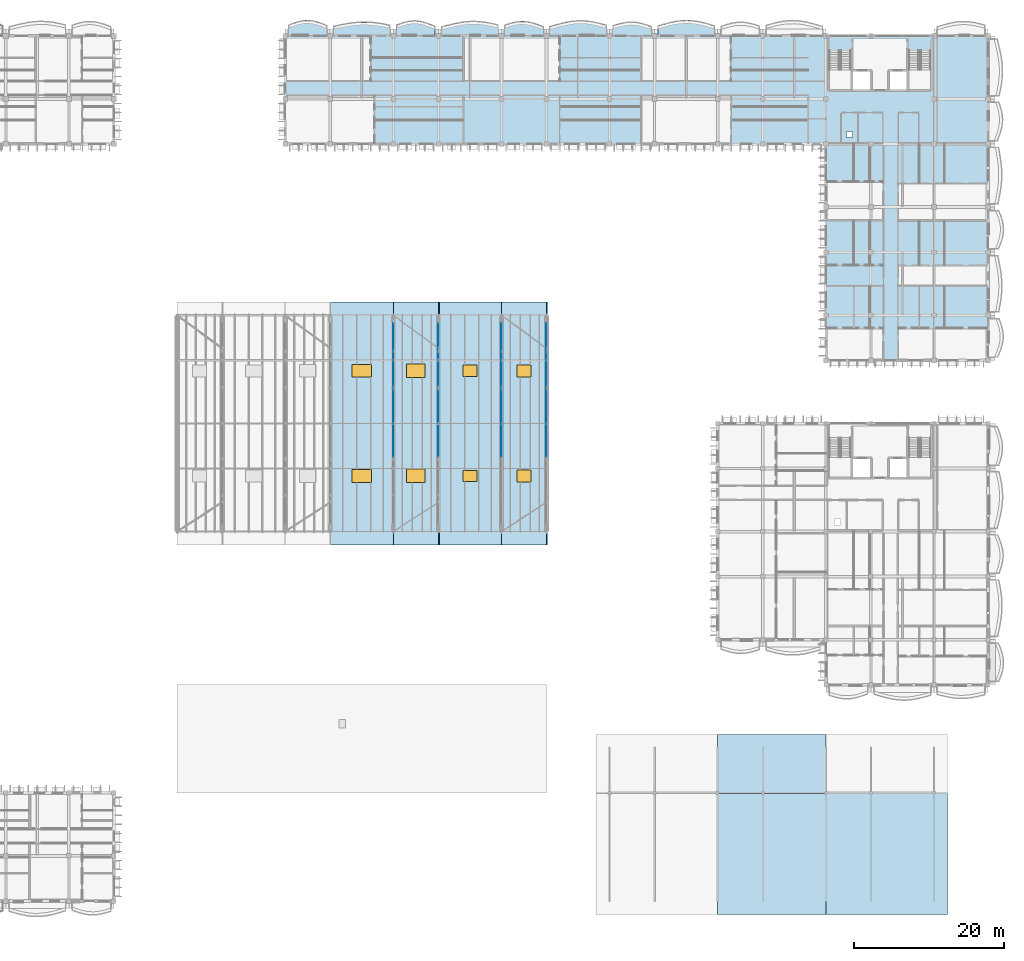
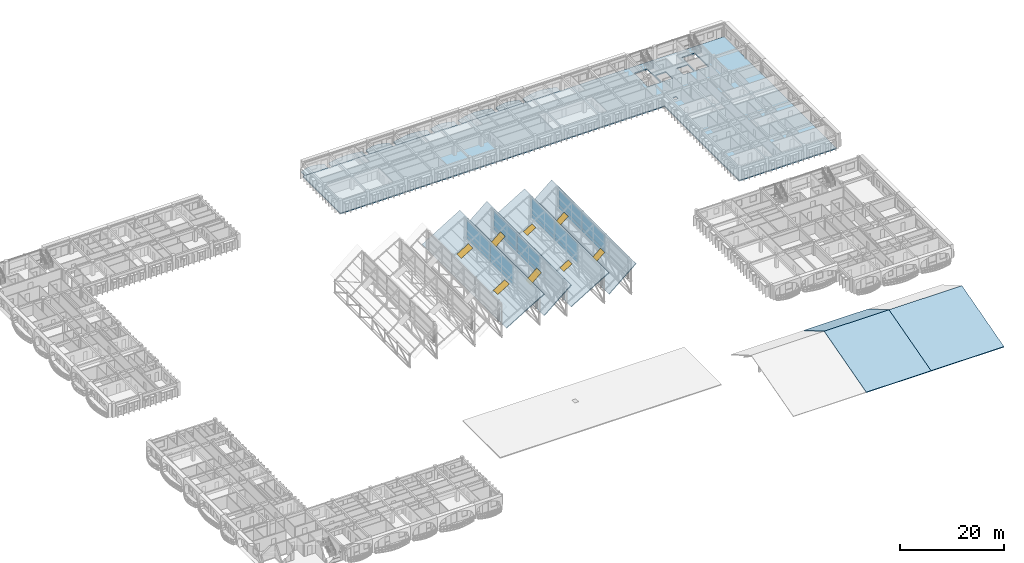
# One storey, part 34 of 101: 16 plates, 16 slabs, 8 windows, 8 openings, 4 elements without a shape of their own.
"""IFC4 building model written with IfcOpenShell, lengths in metres."""

from ifc_helpers import new_model, si_unit, direction, frame, origin, origin_2d, place, context, subcontext, project, spatial, polyline, rectangle, outline, extrude, material, layer, layer_set, type_object, element, fill, aggregate, save


model = new_model("IFC4")

# Units and contexts
model_context = context("Model", 3, precision=1e-05, world=origin(), true_north=direction((0.0, 1.0)))
body_context = subcontext(model_context, "Body", "Model", "MODEL_VIEW")
ifc_project = project(units=[si_unit("LENGTHUNIT", "METRE"), si_unit("AREAUNIT", "SQUARE_METRE"), si_unit("VOLUMEUNIT", "CUBIC_METRE"), si_unit("PLANEANGLEUNIT", "RADIAN"), si_unit("MASSUNIT", "GRAM", prefix="KILO"), si_unit("THERMODYNAMICTEMPERATUREUNIT", "KELVIN")], contexts=[model_context])

# Site, building, storey
site_placement = place(None, origin())
site = spatial("IfcSite", under=ifc_project, at=site_placement, CompositionType="ELEMENT")
building_placement = place(site_placement, origin())
building = spatial("IfcBuilding", under=site, at=building_placement, Name="Thalorik Housing Commons", CompositionType="ELEMENT")
storey_placement = place(building_placement, frame((0.0, 0.0, 8.10009765625)))
storey = spatial("IfcBuildingStorey", under=building, at=storey_placement, Name="L02", CompositionType="ELEMENT", Elevation=8.10009765625)

# Curtain wall, plates
ifc_material_1 = material(Name="Anodised aluminium and solar-control low-E glass", Category="aluminium")
curtain_wall_type = type_object("IfcCurtainWallType", Name="ARC-CW-CLER", PredefinedType="USERDEFINED", material=ifc_material_1)
curtain_wall_1_placement = place(storey_placement, origin())
curtain_wall_1 = element("IfcCurtainWall", 1, at=curtain_wall_1_placement, inside=storey, type_object=curtain_wall_type, Name="L02 Curtain Wall CW-SAW-CLER-04", ObjectType="CURTAIN WALL", PredefinedType="USERDEFINED")
ifc_material_2 = material(Name="Cobalt blue enamelled aluminium spandrel panel", Category="aluminium")
ifc_layer_1 = layer(ifc_material_2, 0.0458984375, Name="Cobalt blue enamelled aluminium spandrel panel", Category="aluminium")
ifc_layer_set_1 = layer_set([ifc_layer_1], Name="Cobalt blue enamelled aluminium spandrel panel")
plate_type_1 = type_object("IfcPlateType", Name="ARC-CP-BLU-46", PredefinedType="CURTAIN_PANEL", material=ifc_layer_set_1)
plate_1_placement = place(storey_placement, frame((94.800048828125, 72.0, 3.3798828125), z_axis=(0.0, 0.0, 1.0), x_axis=(0.0, 1.0, 0.0)))
plate_1 = element("IfcPlate", 2, at=plate_1_placement, type_object=plate_type_1, Name="CW-SAW-CLER-04 Spandrel Panel 2", PredefinedType="CURTAIN_PANEL", context=body_context, shape_type="SweptSolid", body=[
    extrude(rectangle(XDim=8.873291015625, YDim=0.0458984375, at=origin_2d()), origin(), (0.0, 0.0, 1.0), 0.760009765625),
])
plate_2_placement = place(storey_placement, frame((94.800048828125, 80.933349609375, 3.3798828125), z_axis=(0.0, 0.0, 1.0), x_axis=(0.0, 1.0, 0.0)))
plate_2 = element("IfcPlate", 3, at=plate_2_placement, type_object=plate_type_1, Name="CW-SAW-CLER-04 Spandrel Panel 3", PredefinedType="CURTAIN_PANEL", context=body_context, shape_type="SweptSolid", body=[
    extrude(rectangle(XDim=8.873291015625, YDim=0.0458984375, at=origin_2d()), origin(), (0.0, 0.0, 1.0), 0.760009765625),
])

curtain_wall_2_placement = place(storey_placement, origin())
curtain_wall_2 = element("IfcCurtainWall", 4, at=curtain_wall_2_placement, inside=storey, type_object=curtain_wall_type, Name="L02 Curtain Wall CW-SAW-CLER-07", ObjectType="CURTAIN WALL", PredefinedType="USERDEFINED")
plate_3_placement = place(storey_placement, frame((115.199951171875, 72.0, 3.3798828125), z_axis=(0.0, 0.0, 1.0), x_axis=(0.0, 1.0, 0.0)))
plate_3 = element("IfcPlate", 5, at=plate_3_placement, type_object=plate_type_1, Name="CW-SAW-CLER-07 Spandrel Panel 2", PredefinedType="CURTAIN_PANEL", context=body_context, shape_type="SweptSolid", body=[
    extrude(rectangle(XDim=8.873291015625, YDim=0.0458984375, at=origin_2d()), origin(), (0.0, 0.0, 1.0), 0.760009765625),
])
plate_4_placement = place(storey_placement, frame((115.199951171875, 80.933349609375, 3.3798828125), z_axis=(0.0, 0.0, 1.0), x_axis=(0.0, 1.0, 0.0)))
plate_4 = element("IfcPlate", 6, at=plate_4_placement, type_object=plate_type_1, Name="CW-SAW-CLER-07 Spandrel Panel 3", PredefinedType="CURTAIN_PANEL", context=body_context, shape_type="SweptSolid", body=[
    extrude(rectangle(XDim=8.873291015625, YDim=0.0458984375, at=origin_2d()), origin(), (0.0, 0.0, 1.0), 0.760009765625),
])

# Plate
ifc_material_3 = material(Name="Double solar-control low-E glass", Category="glass")
ifc_layer_2 = layer(ifc_material_3, 0.028076171875, Name="Double solar-control low-E glass", Category="glass")
ifc_layer_set_2 = layer_set([ifc_layer_2], Name="Double solar-control low-E glass")
plate_type_2 = type_object("IfcPlateType", Name="ARC-CP-GLZ-28", PredefinedType="CURTAIN_PANEL", material=ifc_layer_set_2)
plate_5_placement = place(storey_placement, frame((94.800048828125, 72.0, 4.219970703125), z_axis=(0.0, 0.0, 1.0), x_axis=(0.0, 1.0, 0.0)))
plate_5 = element("IfcPlate", 7, at=plate_5_placement, type_object=plate_type_2, Name="CW-SAW-CLER-04 Vision Panel 2", PredefinedType="CURTAIN_PANEL", context=body_context, shape_type="SweptSolid", body=[
    extrude(rectangle(XDim=8.873291015625, YDim=0.028076171875, at=origin_2d()), origin(), (0.0, 0.0, 1.0), 3.64990234375),
])

plate_6_placement = place(storey_placement, frame((94.800048828125, 80.933349609375, 4.219970703125), z_axis=(0.0, 0.0, 1.0), x_axis=(0.0, 1.0, 0.0)))
plate_6 = element("IfcPlate", 8, at=plate_6_placement, type_object=plate_type_2, Name="CW-SAW-CLER-04 Vision Panel 3", PredefinedType="CURTAIN_PANEL", context=body_context, shape_type="SweptSolid", body=[
    extrude(rectangle(XDim=8.873291015625, YDim=0.028076171875, at=origin_2d()), origin(), (0.0, 0.0, 1.0), 3.64990234375),
])

aggregate(curtain_wall_1, [plate_1, plate_5, plate_2, plate_6])

# Curtain wall, plates
curtain_wall_3_placement = place(storey_placement, origin())
curtain_wall_3 = element("IfcCurtainWall", 9, at=curtain_wall_3_placement, inside=storey, type_object=curtain_wall_type, Name="L02 Curtain Wall CW-SAW-CLER-05", ObjectType="CURTAIN WALL", PredefinedType="USERDEFINED")
plate_7_placement = place(storey_placement, frame((100.800048828125, 72.0, 4.219970703125), z_axis=(0.0, 0.0, 1.0), x_axis=(0.0, 1.0, 0.0)))
plate_7 = element("IfcPlate", 10, at=plate_7_placement, type_object=plate_type_2, Name="CW-SAW-CLER-05 Vision Panel 2", PredefinedType="CURTAIN_PANEL", context=body_context, shape_type="SweptSolid", body=[
    extrude(rectangle(XDim=8.873291015625, YDim=0.028076171875, at=origin_2d()), origin(), (0.0, 0.0, 1.0), 3.64990234375),
])
plate_8_placement = place(storey_placement, frame((100.800048828125, 80.933349609375, 4.219970703125), z_axis=(0.0, 0.0, 1.0), x_axis=(0.0, 1.0, 0.0)))
plate_8 = element("IfcPlate", 11, at=plate_8_placement, type_object=plate_type_2, Name="CW-SAW-CLER-05 Vision Panel 3", PredefinedType="CURTAIN_PANEL", context=body_context, shape_type="SweptSolid", body=[
    extrude(rectangle(XDim=8.873291015625, YDim=0.028076171875, at=origin_2d()), origin(), (0.0, 0.0, 1.0), 3.64990234375),
])

curtain_wall_4_placement = place(storey_placement, origin())
curtain_wall_4 = element("IfcCurtainWall", 12, at=curtain_wall_4_placement, inside=storey, type_object=curtain_wall_type, Name="L02 Curtain Wall CW-SAW-CLER-06", ObjectType="CURTAIN WALL", PredefinedType="USERDEFINED")
plate_9_placement = place(storey_placement, frame((109.199951171875, 72.0, 4.219970703125), z_axis=(0.0, 0.0, 1.0), x_axis=(0.0, 1.0, 0.0)))
plate_9 = element("IfcPlate", 13, at=plate_9_placement, type_object=plate_type_2, Name="CW-SAW-CLER-06 Vision Panel 2", PredefinedType="CURTAIN_PANEL", context=body_context, shape_type="SweptSolid", body=[
    extrude(rectangle(XDim=8.873291015625, YDim=0.028076171875, at=origin_2d()), origin(), (0.0, 0.0, 1.0), 3.64990234375),
])
plate_10_placement = place(storey_placement, frame((109.199951171875, 80.933349609375, 4.219970703125), z_axis=(0.0, 0.0, 1.0), x_axis=(0.0, 1.0, 0.0)))
plate_10 = element("IfcPlate", 14, at=plate_10_placement, type_object=plate_type_2, Name="CW-SAW-CLER-06 Vision Panel 3", PredefinedType="CURTAIN_PANEL", context=body_context, shape_type="SweptSolid", body=[
    extrude(rectangle(XDim=8.873291015625, YDim=0.028076171875, at=origin_2d()), origin(), (0.0, 0.0, 1.0), 3.64990234375),
])

# Plate
plate_11_placement = place(storey_placement, frame((115.199951171875, 72.0, 4.219970703125), z_axis=(0.0, 0.0, 1.0), x_axis=(0.0, 1.0, 0.0)))
plate_11 = element("IfcPlate", 15, at=plate_11_placement, type_object=plate_type_2, Name="CW-SAW-CLER-07 Vision Panel 2", PredefinedType="CURTAIN_PANEL", context=body_context, shape_type="SweptSolid", body=[
    extrude(rectangle(XDim=8.873291015625, YDim=0.028076171875, at=origin_2d()), origin(), (0.0, 0.0, 1.0), 3.64990234375),
])

plate_12_placement = place(storey_placement, frame((115.199951171875, 80.933349609375, 4.219970703125), z_axis=(0.0, 0.0, 1.0), x_axis=(0.0, 1.0, 0.0)))
plate_12 = element("IfcPlate", 16, at=plate_12_placement, type_object=plate_type_2, Name="CW-SAW-CLER-07 Vision Panel 3", PredefinedType="CURTAIN_PANEL", context=body_context, shape_type="SweptSolid", body=[
    extrude(rectangle(XDim=8.873291015625, YDim=0.028076171875, at=origin_2d()), origin(), (0.0, 0.0, 1.0), 3.64990234375),
])

aggregate(curtain_wall_2, [plate_3, plate_11, plate_4, plate_12])

ifc_material_4 = material(Name="Oxide red enamelled aluminium spandrel panel", Category="aluminium")
ifc_layer_3 = layer(ifc_material_4, 0.0419921875, Name="Oxide red enamelled aluminium spandrel panel", Category="aluminium")
ifc_layer_set_3 = layer_set([ifc_layer_3], Name="Oxide red enamelled aluminium spandrel panel")
plate_type_3 = type_object("IfcPlateType", Name="ARC-CP-RED-42", PredefinedType="CURTAIN_PANEL", material=ifc_layer_set_3)
plate_13_placement = place(storey_placement, frame((109.199951171875, 72.0, 3.3798828125), z_axis=(0.0, 0.0, 1.0), x_axis=(0.0, 1.0, 0.0)))
plate_13 = element("IfcPlate", 17, at=plate_13_placement, type_object=plate_type_3, Name="CW-SAW-CLER-06 Spandrel Panel 2", PredefinedType="CURTAIN_PANEL", context=body_context, shape_type="SweptSolid", body=[
    extrude(rectangle(XDim=8.873291015625, YDim=0.0419921875, at=origin_2d()), origin(), (0.0, 0.0, 1.0), 0.760009765625),
])

plate_14_placement = place(storey_placement, frame((109.199951171875, 80.933349609375, 3.3798828125), z_axis=(0.0, 0.0, 1.0), x_axis=(0.0, 1.0, 0.0)))
plate_14 = element("IfcPlate", 18, at=plate_14_placement, type_object=plate_type_3, Name="CW-SAW-CLER-06 Spandrel Panel 3", PredefinedType="CURTAIN_PANEL", context=body_context, shape_type="SweptSolid", body=[
    extrude(rectangle(XDim=8.873291015625, YDim=0.0419921875, at=origin_2d()), origin(), (0.0, 0.0, 1.0), 0.760009765625),
])

aggregate(curtain_wall_4, [plate_13, plate_9, plate_14, plate_10])

ifc_material_5 = material(Name="Mineral ochre yellow aluminium spandrel panel", Category="aluminium")
ifc_layer_4 = layer(ifc_material_5, 0.050048828125, Name="Mineral ochre yellow aluminium spandrel panel", Category="aluminium")
ifc_layer_set_4 = layer_set([ifc_layer_4], Name="Mineral ochre yellow aluminium spandrel panel")
plate_type_4 = type_object("IfcPlateType", Name="ARC-CP-YEL-50", PredefinedType="CURTAIN_PANEL", material=ifc_layer_set_4)
plate_15_placement = place(storey_placement, frame((100.800048828125, 72.0, 3.3798828125), z_axis=(0.0, 0.0, 1.0), x_axis=(0.0, 1.0, 0.0)))
plate_15 = element("IfcPlate", 19, at=plate_15_placement, type_object=plate_type_4, Name="CW-SAW-CLER-05 Spandrel Panel 2", PredefinedType="CURTAIN_PANEL", context=body_context, shape_type="SweptSolid", body=[
    extrude(rectangle(XDim=8.873291015625, YDim=0.050048828125, at=origin_2d()), origin(), (0.0, 0.0, 1.0), 0.760009765625),
])

plate_16_placement = place(storey_placement, frame((100.800048828125, 80.933349609375, 3.3798828125), z_axis=(0.0, 0.0, 1.0), x_axis=(0.0, 1.0, 0.0)))
plate_16 = element("IfcPlate", 20, at=plate_16_placement, type_object=plate_type_4, Name="CW-SAW-CLER-05 Spandrel Panel 3", PredefinedType="CURTAIN_PANEL", context=body_context, shape_type="SweptSolid", body=[
    extrude(rectangle(XDim=8.873291015625, YDim=0.050048828125, at=origin_2d()), origin(), (0.0, 0.0, 1.0), 0.760009765625),
])

aggregate(curtain_wall_3, [plate_15, plate_7, plate_16, plate_8])

# Slabs
ifc_material_6 = material(Name="Precast concrete C40/50", Category="concrete")
ifc_layer_5 = layer(ifc_material_6, 0.199951171875, Name="Precast concrete C40/50", Category="concrete")
ifc_layer_set_5 = layer_set([ifc_layer_5], Name="Precast concrete C40/50")
slab_type_1 = type_object("IfcSlabType", Name="STR-SLB-BALC-200", PredefinedType="FLOOR", material=ifc_layer_set_5)
slab_1_placement = place(storey_placement, frame((0.0, 0.0, -0.2001953125)))
element("IfcSlab", 21, at=slab_1_placement, inside=storey, type_object=slab_type_1, Name="L02 Block B Cushion Balcony 101", PredefinedType="FLOOR", context=body_context, shape_type="SweptSolid", body=[
    extrude(outline(polyline([(80.820068359375, 123.60009765625), (85.97998046875, 123.60009765625), (85.97998046875, 124.99072265625), (85.550048828125, 125.17041015625), (85.1201171875, 125.338134765625), (84.68994140625, 125.482421875), (84.260009765625, 125.5947265625), (83.830078125, 125.667236328125), (83.39990234375, 125.69580078125), (82.969970703125, 125.6787109375), (82.5400390625, 125.6171875), (82.110107421875, 125.515380859375), (81.679931640625, 125.380126953125), (81.25, 125.22021484375), (80.820068359375, 125.04638671875), (80.820068359375, 123.60009765625)])), origin(), (0.0, 0.0, 1.0), 0.2001953125),
])
slab_2_placement = place(storey_placement, frame((0.0, 0.0, -0.2001953125)))
element("IfcSlab", 22, at=slab_2_placement, inside=storey, type_object=slab_type_1, Name="L02 Block B Cushion Balcony 103", PredefinedType="FLOOR", context=body_context, shape_type="SweptSolid", body=[
    extrude(outline(polyline([(95.219970703125, 123.60009765625), (100.3798828125, 123.60009765625), (100.3798828125, 124.901611328125), (99.949951171875, 125.07958984375), (99.52001953125, 125.248291015625), (99.090087890625, 125.397216796875), (98.659912109375, 125.5166015625), (98.22998046875, 125.599365234375), (97.800048828125, 125.640380859375), (97.3701171875, 125.6376953125), (96.93994140625, 125.592041015625), (96.510009765625, 125.507080078125), (96.080078125, 125.388916015625), (95.64990234375, 125.24560546875), (95.219970703125, 125.087646484375), (95.219970703125, 123.60009765625)])), origin(), (0.0, 0.0, 1.0), 0.2001953125),
])
slab_3_placement = place(storey_placement, frame((0.0, 0.0, -0.2001953125)))
element("IfcSlab", 23, at=slab_3_placement, inside=storey, type_object=slab_type_1, Name="L02 Block B Cushion Balcony 105", PredefinedType="FLOOR", context=body_context, shape_type="SweptSolid", body=[
    extrude(outline(polyline([(109.6201171875, 123.60009765625), (114.780029296875, 123.60009765625), (114.780029296875, 124.85205078125), (114.35009765625, 125.0166015625), (113.919921875, 125.174072265625), (113.489990234375, 125.314453125), (113.06005859375, 125.42822265625), (112.6298828125, 125.50830078125), (112.199951171875, 125.55029296875), (111.77001953125, 125.55126953125), (111.340087890625, 125.512451171875), (110.909912109375, 125.43701171875), (110.47998046875, 125.330810546875), (110.050048828125, 125.201904296875), (109.6201171875, 125.0595703125), (109.6201171875, 123.60009765625)])), origin(), (0.0, 0.0, 1.0), 0.2001953125),
])
slab_4_placement = place(storey_placement, frame((0.0, 0.0, -0.2001953125)))
element("IfcSlab", 24, at=slab_4_placement, inside=storey, type_object=slab_type_1, Name="L02 Block B Cushion Balcony 107", PredefinedType="FLOOR", context=body_context, shape_type="SweptSolid", body=[
    extrude(outline(polyline([(124.02001953125, 123.60009765625), (129.179931640625, 123.60009765625), (129.179931640625, 124.870849609375), (128.75, 125.0185546875), (128.320068359375, 125.158935546875), (127.889892578125, 125.28271484375), (127.4599609375, 125.38134765625), (127.030029296875, 125.44775390625), (126.60009765625, 125.477783203125), (126.169921875, 125.469970703125), (125.739990234375, 125.4248046875), (125.31005859375, 125.34619140625), (124.8798828125, 125.240234375), (124.449951171875, 125.114501953125), (124.02001953125, 124.978271484375), (124.02001953125, 123.60009765625)])), origin(), (0.0, 0.0, 1.0), 0.2001953125),
])
ifc_layer_6 = layer(ifc_material_6, 0.219970703125, Name="Precast concrete C40/50", Category="concrete")
ifc_layer_set_6 = layer_set([ifc_layer_6], Name="Precast concrete C40/50")
slab_type_2 = type_object("IfcSlabType", Name="STR-SLB-BALC-220", PredefinedType="FLOOR", material=ifc_layer_set_6)
slab_5_placement = place(storey_placement, frame((0.0, 0.0, -0.22021484375)))
element("IfcSlab", 25, at=slab_5_placement, inside=storey, type_object=slab_type_2, Name="L02 Block B Cushion Balcony 102", PredefinedType="FLOOR", context=body_context, shape_type="SweptSolid", body=[
    extrude(outline(polyline([(86.820068359375, 123.60009765625), (94.3798828125, 123.60009765625), (94.3798828125, 125.048583984375), (93.75, 125.179931640625), (93.1201171875, 125.296630859375), (92.489990234375, 125.390869140625), (91.860107421875, 125.456298828125), (91.22998046875, 125.489013671875), (90.60009765625, 125.486572265625), (89.969970703125, 125.44970703125), (89.340087890625, 125.380615234375), (88.7099609375, 125.284423828125), (88.080078125, 125.16748046875), (87.449951171875, 125.037841796875), (86.820068359375, 124.904296875), (86.820068359375, 123.60009765625)])), origin(), (0.0, 0.0, 1.0), 0.22021484375),
])
slab_6_placement = place(storey_placement, frame((0.0, 0.0, -0.22021484375)))
element("IfcSlab", 26, at=slab_6_placement, inside=storey, type_object=slab_type_2, Name="L02 Block B Cushion Balcony 104", PredefinedType="FLOOR", context=body_context, shape_type="SweptSolid", body=[
    extrude(outline(polyline([(101.219970703125, 123.60009765625), (108.780029296875, 123.60009765625), (108.780029296875, 125.087890625), (108.14990234375, 125.239990234375), (107.52001953125, 125.373046875), (106.889892578125, 125.477783203125), (106.260009765625, 125.54736328125), (105.6298828125, 125.5771484375), (105.0, 125.5654296875), (104.3701171875, 125.51318359375), (103.739990234375, 125.424072265625), (103.110107421875, 125.3046875), (102.47998046875, 125.162841796875), (101.85009765625, 125.0087890625), (101.219970703125, 124.8525390625), (101.219970703125, 123.60009765625)])), origin(), (0.0, 0.0, 1.0), 0.22021484375),
])
slab_7_placement = place(storey_placement, frame((0.0, 0.0, -0.22021484375)))
element("IfcSlab", 27, at=slab_7_placement, inside=storey, type_object=slab_type_2, Name="L02 Block B Cushion Balcony 106", PredefinedType="FLOOR", context=body_context, shape_type="SweptSolid", body=[
    extrude(outline(polyline([(115.6201171875, 123.60009765625), (123.179931640625, 123.60009765625), (123.179931640625, 125.057373046875), (122.550048828125, 125.234130859375), (121.919921875, 125.39208984375), (121.2900390625, 125.520263671875), (120.659912109375, 125.610107421875), (120.030029296875, 125.655517578125), (119.39990234375, 125.6533203125), (118.77001953125, 125.604248046875), (118.139892578125, 125.511474609375), (117.510009765625, 125.381591796875), (116.8798828125, 125.223876953125), (116.25, 125.048828125), (115.6201171875, 124.869140625), (115.6201171875, 123.60009765625)])), origin(), (0.0, 0.0, 1.0), 0.22021484375),
])
slab_8_placement = place(storey_placement, frame((0.0, 0.0, -0.22021484375)))
element("IfcSlab", 28, at=slab_8_placement, inside=storey, type_object=slab_type_2, Name="L02 Block B Cushion Balcony 108", PredefinedType="FLOOR", context=body_context, shape_type="SweptSolid", body=[
    extrude(outline(polyline([(130.02001953125, 123.60009765625), (137.580078125, 123.60009765625), (137.580078125, 124.97509765625), (136.949951171875, 125.16552734375), (136.320068359375, 125.34228515625), (135.68994140625, 125.4931640625), (135.06005859375, 125.607666015625), (134.429931640625, 125.677978515625), (133.800048828125, 125.698974609375), (133.169921875, 125.66943359375), (132.5400390625, 125.591552734375), (131.909912109375, 125.470458984375), (131.280029296875, 125.314697265625), (130.64990234375, 125.13525390625), (130.02001953125, 124.9443359375), (130.02001953125, 123.60009765625)])), origin(), (0.0, 0.0, 1.0), 0.22021484375),
])
ifc_layer_7 = layer(ifc_material_6, 0.199951171875, Name="Precast concrete C40/50", Category="concrete")
ifc_layer_set_7 = layer_set([ifc_layer_7], Name="Precast concrete C40/50")
slab_type_3 = type_object("IfcSlabType", Name="STR-SLB-FOLD-200", PredefinedType="ROOF", material=ifc_layer_set_7)
slab_9_placement = place(storey_placement, frame((138.0, 6.60009765625, 0.0), z_axis=(0.0, -0.267644612702, 0.963517701597), x_axis=(1.0, 0.0, 0.0)))
element("IfcSlab", 29, at=slab_9_placement, inside=storey, type_object=slab_type_3, Name="L02 Nursery Folded Precast South Roof Facet 2", PredefinedType="ROOF", context=body_context, shape_type="SweptSolid", body=[
    extrude(outline(polyline([(0.0, 0.0), (14.39990234375, 0.0), (14.39990234375, 16.813340476274615), (0.0, 16.813340476274615), (0.0, 0.0)])), origin(), (0.0, 0.0, -1.0), 0.199951171875),
])
slab_10_placement = place(storey_placement, frame((152.39990234375, 30.60009765625, 0.0), z_axis=(0.0, 0.499720106428, 0.866186940118), x_axis=(-1.0, 0.0, 0.0)))
element("IfcSlab", 30, at=slab_10_placement, inside=storey, type_object=slab_type_3, Name="L02 Nursery Folded Precast North Roof Facet 2", PredefinedType="ROOF", context=body_context, shape_type="SweptSolid", body=[
    extrude(outline(polyline([(0.0, 0.0), (14.39990234375, 0.0), (14.39990234375, 9.00504090613331), (0.0, 9.00504090613331), (0.0, 0.0)])), origin(), (0.0, 0.0, -1.0), 0.199951171875),
])
slab_11_placement = place(storey_placement, frame((152.39990234375, 6.60009765625, 0.0), z_axis=(0.0, -0.267644612702, 0.963517701597), x_axis=(1.0, 0.0, 0.0)))
element("IfcSlab", 31, at=slab_11_placement, inside=storey, type_object=slab_type_3, Name="L02 Nursery Folded Precast South Roof Facet 3", PredefinedType="ROOF", context=body_context, shape_type="SweptSolid", body=[
    extrude(outline(polyline([(0.0, 0.0), (16.2001953125, 0.0), (16.2001953125, 16.81334047627461), (0.0, 16.81334047627461), (0.0, 0.0)])), origin(), (0.0, 0.0, -1.0), 0.199951171875),
])
ifc_material_7 = material(Name="Precast concrete C45/55", Category="concrete")
ifc_layer_8 = layer(ifc_material_7, 0.260009765625, Name="Precast concrete C45/55", Category="concrete")
ifc_layer_set_8 = layer_set([ifc_layer_8], Name="Precast concrete C45/55")
slab_type_4 = type_object("IfcSlabType", Name="STR-SLB-HC-260", PredefinedType="FLOOR", material=ifc_layer_set_8)
slab_12_placement = place(storey_placement, frame((0.0, 0.0, -0.260009765625)))
element("IfcSlab", 32, at=slab_12_placement, inside=storey, type_object=slab_type_4, Name="L02 Residential Block B Floor Slab", PredefinedType="FLOOR", context=body_context, shape_type="SweptSolid", body=[
    extrude(outline(polyline([(80.39990234375, 109.199951171875), (152.39990234375, 109.199951171875), (152.39990234375, 80.39990234375), (174.0, 80.39990234375), (174.0, 109.199951171875), (174.0, 123.60009765625), (80.39990234375, 123.60009765625), (80.39990234375, 109.199951171875)]), holes=[polyline([(152.85009765625, 121.64990234375), (155.75, 121.64990234375), (155.75, 116.449951171875), (152.85009765625, 116.449951171875), (152.85009765625, 121.64990234375)]), polyline([(166.35009765625, 121.64990234375), (166.35009765625, 116.449951171875), (163.449951171875, 116.449951171875), (163.449951171875, 121.64990234375), (166.35009765625, 121.64990234375)]), polyline([(158.39990234375, 119.0), (158.39990234375, 116.449951171875), (156.0, 116.449951171875), (156.0, 119.0), (158.39990234375, 119.0)]), polyline([(163.199951171875, 116.449951171875), (160.800048828125, 116.449951171875), (160.800048828125, 119.0), (163.199951171875, 119.0), (163.199951171875, 116.449951171875)]), polyline([(155.14990234375, 110.050048828125), (155.14990234375, 110.85009765625), (155.949951171875, 110.85009765625), (155.949951171875, 110.050048828125), (155.14990234375, 110.050048828125)])]), origin(), (0.0, 0.0, 1.0), 0.260009765625),
])

# Slab, openings, windows
ifc_layer_9 = layer(ifc_material_6, 0.179931640625, Name="Precast concrete C40/50", Category="concrete")
ifc_layer_set_9 = layer_set([ifc_layer_9], Name="Precast concrete C40/50")
slab_type_5 = type_object("IfcSlabType", Name="STR-SLB-SAW-180", PredefinedType="ROOF", material=ifc_layer_set_9)
slab_13_placement = place(storey_placement, frame((86.39990234375, 55.800048828125, 3.2998046875), z_axis=(-0.518978782532, 0.0, 0.854787121617), x_axis=(0.854787121617, 0.0, 0.518978782532)))
slab_13 = element("IfcSlab", 33, at=slab_13_placement, inside=storey, type_object=slab_type_5, Name="L02 Community Hall Sawtooth Roof Facet 4", PredefinedType="ROOF", context=body_context, shape_type="SweptSolid", body=[
    extrude(outline(polyline([(0.0, 0.0), (9.827179506971694, 0.0), (9.827179506971694, 32.39990234375), (0.0, 32.39990234375), (0.0, 0.0)])), origin(), (0.0, 0.0, -1.0), 0.179931640625),
])
opening_1_placement = place(slab_13_placement, frame((4.91357421875, 9.199951171875, 0.010009765625), z_axis=(0.0, 0.0, -1.0), x_axis=(1.0, 0.0, 0.0)))
opening_1 = element("IfcOpeningElement", 34, at=opening_1_placement, cuts=slab_13, Name="Opening SK-04", PredefinedType="OPENING", context=body_context, shape_type="SweptSolid", body=[
    extrude(rectangle(XDim=3.0, YDim=1.699951171875, at=origin_2d()), origin(), (0.0, 0.0, 1.0), 0.199951171875),
])
opening_2_placement = place(slab_13_placement, frame((4.91357421875, 23.199951171875, 0.010009765625), z_axis=(0.0, 0.0, -1.0), x_axis=(1.0, 0.0, 0.0)))
opening_2 = element("IfcOpeningElement", 35, at=opening_2_placement, cuts=slab_13, Name="Opening SK-04", PredefinedType="OPENING", context=body_context, shape_type="SweptSolid", body=[
    extrude(rectangle(XDim=3.0, YDim=1.699951171875, at=origin_2d()), origin(), (0.0, 0.0, 1.0), 0.199951171875),
])
ifc_material_8 = material(Name="Laminated solar-control skylight glass and aluminium frame", Category="aluminium")
window_type_1 = type_object("IfcWindowType", Name="ARC-SKY-04", PartitioningType="DOUBLE_PANEL_HORIZONTAL", PredefinedType="SKYLIGHT", material=ifc_material_8)
window_1_placement = place(opening_1_placement, frame((0.0, 0.0, 0.010009765625)))
window_1 = element("IfcWindow", 36, at=window_1_placement, inside=storey, type_object=window_type_1, Name="L02 Sawtooth North-Light Skylight 4.1", OverallHeight=1.699951171875, OverallWidth=3.0, PartitioningType="DOUBLE_PANEL_HORIZONTAL", PredefinedType="SKYLIGHT", context=body_context, shape_type="SweptSolid", body=[
    extrude(rectangle(XDim=3.0, YDim=1.699951171875, at=origin_2d()), origin(), (0.0, 0.0, 1.0), 0.050048828125),
])
fill(opening_1, window_1)
window_2_placement = place(opening_2_placement, frame((0.0, 0.0, 0.010009765625)))
window_2 = element("IfcWindow", 37, at=window_2_placement, inside=storey, type_object=window_type_1, Name="L02 Sawtooth North-Light Skylight 4.2", OverallHeight=1.699951171875, OverallWidth=3.0, PartitioningType="DOUBLE_PANEL_HORIZONTAL", PredefinedType="SKYLIGHT", context=body_context, shape_type="SweptSolid", body=[
    extrude(rectangle(XDim=3.0, YDim=1.699951171875, at=origin_2d()), origin(), (0.0, 0.0, 1.0), 0.050048828125),
])
fill(opening_2, window_2)

slab_14_placement = place(storey_placement, frame((94.800048828125, 55.800048828125, 3.2998046875), z_axis=(-0.647655619635, 0.0, 0.761933198092), x_axis=(0.761933198092, 0.0, 0.647655619635)))
slab_14 = element("IfcSlab", 38, at=slab_14_placement, inside=storey, type_object=slab_type_5, Name="L02 Community Hall Sawtooth Roof Facet 5", PredefinedType="ROOF", context=body_context, shape_type="SweptSolid", body=[
    extrude(outline(polyline([(0.0, 0.0), (7.874706096311579, 0.0), (7.874706096311579, 32.39990234375), (0.0, 32.39990234375), (0.0, 0.0)])), origin(), (0.0, 0.0, -1.0), 0.179931640625),
])
opening_3_placement = place(slab_14_placement, frame((3.937255859375, 9.199951171875, 0.010009765625), z_axis=(0.0, 0.0, -1.0), x_axis=(1.0, 0.0, 0.0)))
opening_3 = element("IfcOpeningElement", 39, at=opening_3_placement, cuts=slab_14, Name="Opening SK-05", PredefinedType="OPENING", context=body_context, shape_type="SweptSolid", body=[
    extrude(rectangle(XDim=3.199951171875, YDim=1.800048828125, at=origin_2d()), origin(), (0.0, 0.0, 1.0), 0.199951171875),
])
opening_4_placement = place(slab_14_placement, frame((3.937255859375, 23.199951171875, 0.010009765625), z_axis=(0.0, 0.0, -1.0), x_axis=(1.0, 0.0, 0.0)))
opening_4 = element("IfcOpeningElement", 40, at=opening_4_placement, cuts=slab_14, Name="Opening SK-05", PredefinedType="OPENING", context=body_context, shape_type="SweptSolid", body=[
    extrude(rectangle(XDim=3.199951171875, YDim=1.800048828125, at=origin_2d()), origin(), (0.0, 0.0, 1.0), 0.199951171875),
])
window_type_2 = type_object("IfcWindowType", Name="ARC-SKY-05", PartitioningType="DOUBLE_PANEL_HORIZONTAL", PredefinedType="SKYLIGHT", material=ifc_material_8)
window_3_placement = place(opening_3_placement, frame((0.0, 0.0, 0.010009765625)))
window_3 = element("IfcWindow", 41, at=window_3_placement, inside=storey, type_object=window_type_2, Name="L02 Sawtooth North-Light Skylight 5.1", OverallHeight=1.800048828125, OverallWidth=3.199951171875, PartitioningType="DOUBLE_PANEL_HORIZONTAL", PredefinedType="SKYLIGHT", context=body_context, shape_type="SweptSolid", body=[
    extrude(rectangle(XDim=3.199951171875, YDim=1.800048828125, at=origin_2d()), origin(), (0.0, 0.0, 1.0), 0.050048828125),
])
fill(opening_3, window_3)
window_4_placement = place(opening_4_placement, frame((0.0, 0.0, 0.010009765625)))
window_4 = element("IfcWindow", 42, at=window_4_placement, inside=storey, type_object=window_type_2, Name="L02 Sawtooth North-Light Skylight 5.2", OverallHeight=1.800048828125, OverallWidth=3.199951171875, PartitioningType="DOUBLE_PANEL_HORIZONTAL", PredefinedType="SKYLIGHT", context=body_context, shape_type="SweptSolid", body=[
    extrude(rectangle(XDim=3.199951171875, YDim=1.800048828125, at=origin_2d()), origin(), (0.0, 0.0, 1.0), 0.050048828125),
])
fill(opening_4, window_4)

slab_15_placement = place(storey_placement, frame((100.800048828125, 55.800048828125, 3.2998046875), z_axis=(-0.518989803665, 0.0, 0.854780430106), x_axis=(0.854780430106, 0.0, 0.518989803665)))
slab_15 = element("IfcSlab", 43, at=slab_15_placement, inside=storey, type_object=slab_type_5, Name="L02 Community Hall Sawtooth Roof Facet 6", PredefinedType="ROOF", context=body_context, shape_type="SweptSolid", body=[
    extrude(outline(polyline([(0.0, 0.0), (9.826970819526405, 0.0), (9.826970819526405, 32.39990234375), (0.0, 32.39990234375), (0.0, 0.0)])), origin(), (0.0, 0.0, -1.0), 0.179931640625),
])
opening_5_placement = place(slab_15_placement, frame((4.91357421875, 9.199951171875, 0.010009765625), z_axis=(0.0, 0.0, -1.0), x_axis=(1.0, 0.0, 0.0)))
opening_5 = element("IfcOpeningElement", 44, at=opening_5_placement, cuts=slab_15, Name="Opening SK-06", PredefinedType="OPENING", context=body_context, shape_type="SweptSolid", body=[
    extrude(rectangle(XDim=2.199951171875, YDim=1.5, at=origin_2d()), origin(), (0.0, 0.0, 1.0), 0.199951171875),
])
opening_6_placement = place(slab_15_placement, frame((4.91357421875, 23.199951171875, 0.010009765625), z_axis=(0.0, 0.0, -1.0), x_axis=(1.0, 0.0, 0.0)))
opening_6 = element("IfcOpeningElement", 45, at=opening_6_placement, cuts=slab_15, Name="Opening SK-06", PredefinedType="OPENING", context=body_context, shape_type="SweptSolid", body=[
    extrude(rectangle(XDim=2.199951171875, YDim=1.5, at=origin_2d()), origin(), (0.0, 0.0, 1.0), 0.199951171875),
])
window_type_3 = type_object("IfcWindowType", Name="ARC-SKY-06", PartitioningType="DOUBLE_PANEL_HORIZONTAL", PredefinedType="SKYLIGHT", material=ifc_material_8)
window_5_placement = place(opening_5_placement, frame((0.0, 0.0, 0.010009765625)))
window_5 = element("IfcWindow", 46, at=window_5_placement, inside=storey, type_object=window_type_3, Name="L02 Sawtooth North-Light Skylight 6.1", OverallHeight=1.5, OverallWidth=2.199951171875, PartitioningType="DOUBLE_PANEL_HORIZONTAL", PredefinedType="SKYLIGHT", context=body_context, shape_type="SweptSolid", body=[
    extrude(rectangle(XDim=2.199951171875, YDim=1.5, at=origin_2d()), origin(), (0.0, 0.0, 1.0), 0.050048828125),
])
fill(opening_5, window_5)
window_6_placement = place(opening_6_placement, frame((0.0, 0.0, 0.010009765625)))
window_6 = element("IfcWindow", 47, at=window_6_placement, inside=storey, type_object=window_type_3, Name="L02 Sawtooth North-Light Skylight 6.2", OverallHeight=1.5, OverallWidth=2.199951171875, PartitioningType="DOUBLE_PANEL_HORIZONTAL", PredefinedType="SKYLIGHT", context=body_context, shape_type="SweptSolid", body=[
    extrude(rectangle(XDim=2.199951171875, YDim=1.5, at=origin_2d()), origin(), (0.0, 0.0, 1.0), 0.050048828125),
])
fill(opening_6, window_6)

slab_16_placement = place(storey_placement, frame((109.199951171875, 55.800048828125, 3.2998046875), z_axis=(-0.647655619635, 0.0, 0.761933198092), x_axis=(0.761933198092, 0.0, 0.647655619635)))
slab_16 = element("IfcSlab", 48, at=slab_16_placement, inside=storey, type_object=slab_type_5, Name="L02 Community Hall Sawtooth Roof Facet 7", PredefinedType="ROOF", context=body_context, shape_type="SweptSolid", body=[
    extrude(outline(polyline([(0.0, 0.0), (7.874706096311579, 0.0), (7.874706096311579, 32.39990234375), (0.0, 32.39990234375), (0.0, 0.0)])), origin(), (0.0, 0.0, -1.0), 0.179931640625),
])
opening_7_placement = place(slab_16_placement, frame((3.937255859375, 9.199951171875, 0.010009765625), z_axis=(0.0, 0.0, -1.0), x_axis=(1.0, 0.0, 0.0)))
opening_7 = element("IfcOpeningElement", 49, at=opening_7_placement, cuts=slab_16, Name="Opening SK-01", PredefinedType="OPENING", context=body_context, shape_type="SweptSolid", body=[
    extrude(rectangle(XDim=2.39990234375, YDim=1.60009765625, at=origin_2d()), origin(), (0.0, 0.0, 1.0), 0.199951171875),
])
opening_8_placement = place(slab_16_placement, frame((3.937255859375, 23.199951171875, 0.010009765625), z_axis=(0.0, 0.0, -1.0), x_axis=(1.0, 0.0, 0.0)))
opening_8 = element("IfcOpeningElement", 50, at=opening_8_placement, cuts=slab_16, Name="Opening SK-01", PredefinedType="OPENING", context=body_context, shape_type="SweptSolid", body=[
    extrude(rectangle(XDim=2.39990234375, YDim=1.60009765625, at=origin_2d()), origin(), (0.0, 0.0, 1.0), 0.199951171875),
])
window_type_4 = type_object("IfcWindowType", Name="ARC-SKY-01", PartitioningType="DOUBLE_PANEL_HORIZONTAL", PredefinedType="SKYLIGHT", material=ifc_material_8)
window_7_placement = place(opening_7_placement, frame((0.0, 0.0, 0.010009765625)))
window_7 = element("IfcWindow", 51, at=window_7_placement, inside=storey, type_object=window_type_4, Name="L02 Sawtooth North-Light Skylight 7.1", OverallHeight=1.60009765625, OverallWidth=2.39990234375, PartitioningType="DOUBLE_PANEL_HORIZONTAL", PredefinedType="SKYLIGHT", context=body_context, shape_type="SweptSolid", body=[
    extrude(rectangle(XDim=2.39990234375, YDim=1.60009765625, at=origin_2d()), origin(), (0.0, 0.0, 1.0), 0.050048828125),
])
fill(opening_7, window_7)
window_8_placement = place(opening_8_placement, frame((0.0, 0.0, 0.010009765625)))
window_8 = element("IfcWindow", 52, at=window_8_placement, inside=storey, type_object=window_type_4, Name="L02 Sawtooth North-Light Skylight 7.2", OverallHeight=1.60009765625, OverallWidth=2.39990234375, PartitioningType="DOUBLE_PANEL_HORIZONTAL", PredefinedType="SKYLIGHT", context=body_context, shape_type="SweptSolid", body=[
    extrude(rectangle(XDim=2.39990234375, YDim=1.60009765625, at=origin_2d()), origin(), (0.0, 0.0, 1.0), 0.050048828125),
])
fill(opening_8, window_8)

save(model, "model.ifc")
